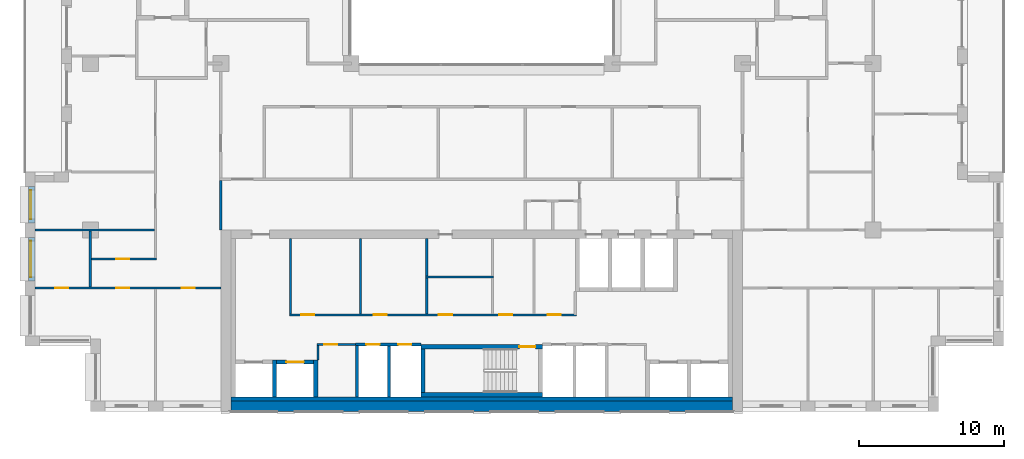
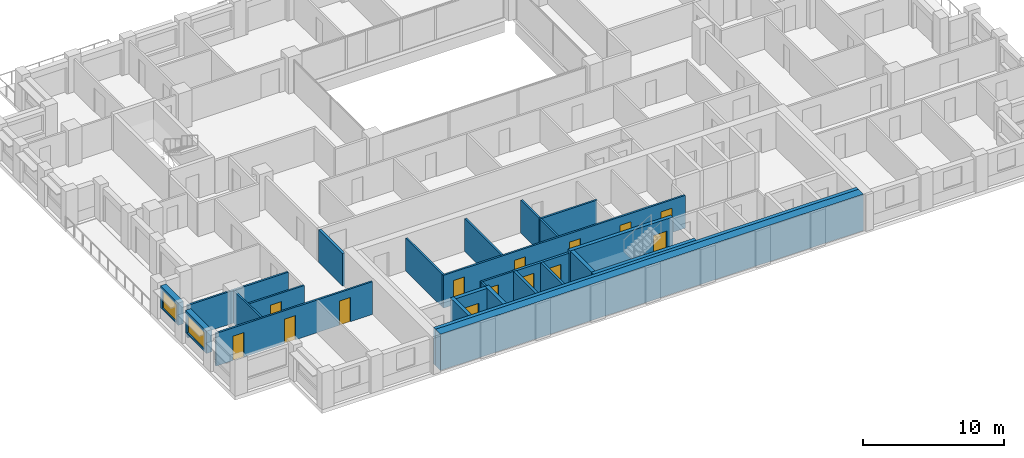
# One storey, part 8 of 15: 26 walls, 14 doors, 2 windows, 16 openings.
"""IFC4 building model written with IfcOpenShell, lengths in metres."""

from ifc_helpers import new_model, si_unit, direction, frame, frame_2d, origin, place, context, subcontext, project, spatial, rectangle, extrude, material, layer, layer_set, type_object, element, fill, save


model = new_model("IFC4")

# Units and contexts
model_context = context("Model", 3, precision=1e-05, world=origin(), true_north=direction((0.0, 1.0)))
body_context = subcontext(model_context, "Body", "Model", "MODEL_VIEW")
ifc_project = project(units=[si_unit("LENGTHUNIT", "METRE"), si_unit("AREAUNIT", "SQUARE_METRE"), si_unit("VOLUMEUNIT", "CUBIC_METRE"), si_unit("PLANEANGLEUNIT", "RADIAN"), si_unit("MASSUNIT", "GRAM", prefix="KILO")], contexts=[model_context])

# Site, building, storey
site_placement = place(None, origin())
site = spatial("IfcSite", under=ifc_project, at=site_placement, CompositionType="ELEMENT")
building_placement = place(site_placement, origin())
building = spatial("IfcBuilding", under=site, at=building_placement, Name="Brigalow Station Residences", CompositionType="ELEMENT")
storey_placement = place(building_placement, frame((0.0, 0.0, 144.449951171875)))
storey = spatial("IfcBuildingStorey", under=building, at=storey_placement, Name="L41", CompositionType="ELEMENT", Elevation=144.449951171875)

# Wall, opening, window
ifc_material_1 = material(Name="Clay brick masonry", Category="masonry")
ifc_layer_1 = layer(ifc_material_1, 0.449951171875)
ifc_layer_set_1 = layer_set([ifc_layer_1], Name="BRICK INFILL WALL 450")
wall_type_1 = type_object("IfcWallType", Name="BRICK INFILL WALL 450", PredefinedType="SOLIDWALL", material=ifc_layer_set_1)
wall_1_placement = place(storey_placement, frame((4.97509765625, 15.5, 0.900146484375), z_axis=(0.0, 0.0, 1.0), x_axis=(0.0, -1.0, 0.0)))
wall_1 = element("IfcWall", 1, at=wall_1_placement, inside=storey, type_object=wall_type_1, Name="L41/ewall/W-L41-45", PredefinedType="SOLIDWALL", context=body_context, shape_type="SweptSolid", body=[
    extrude(rectangle(XDim=2.5, YDim=0.449951171875, at=frame_2d((1.25, 0.0))), origin(), (0.0, 0.0, 1.0), 1.929931640625),
])
opening_1_placement = place(wall_1_placement, frame((0.25, 0.0, 0.14990234375)))
opening_1 = element("IfcOpeningElement", 2, at=opening_1_placement, cuts=wall_1, Name="Opening WT-7", PredefinedType="OPENING", context=body_context, shape_type="SweptSolid", body=[
    extrude(rectangle(XDim=2.0, YDim=1.5, at=frame_2d((1.0, 0.75))), frame((0.0, 0.23486328125, 0.0), z_axis=(0.0, -1.0, 0.0), x_axis=(1.0, 0.0, 0.0)), (0.0, 0.0, 1.0), 0.469970703125),
])
ifc_material_2 = material(Name="Anodised aluminium frame with double glazing", Category="aluminium")
window_type_1 = type_object("IfcWindowType", Name="WINDOW 2000x1500", PartitioningType="SINGLE_PANEL", PredefinedType="WINDOW", material=ifc_material_2)
window_1_placement = place(opening_1_placement, origin())
window_1 = element("IfcWindow", 3, at=window_1_placement, inside=storey, type_object=window_type_1, Name="L41/window/W-L41-45", OverallHeight=1.5, OverallWidth=2.0, PartitioningType="SINGLE_PANEL", PredefinedType="WINDOW", context=body_context, shape_type="SweptSolid", body=[
    extrude(rectangle(XDim=2.0, YDim=1.5, at=frame_2d((1.0, 0.75))), frame((0.0, -0.06494140625, 0.0), z_axis=(0.0, -1.0, 0.0), x_axis=(1.0, 0.0, 0.0)), (0.0, 0.0, 1.0), 0.06005859375),
])
fill(opening_1, window_1)

wall_2_placement = place(storey_placement, frame((4.97509765625, 12.0, 0.900146484375), z_axis=(0.0, 0.0, 1.0), x_axis=(0.0, -1.0, 0.0)))
wall_2 = element("IfcWall", 4, at=wall_2_placement, inside=storey, type_object=wall_type_1, Name="L41/ewall/W-L41-46", PredefinedType="SOLIDWALL", context=body_context, shape_type="SweptSolid", body=[
    extrude(rectangle(XDim=3.0, YDim=0.449951171875, at=frame_2d((1.5, 0.0))), origin(), (0.0, 0.0, 1.0), 1.929931640625),
])
opening_2_placement = place(wall_2_placement, frame((0.25, 0.0, 0.14990234375)))
opening_2 = element("IfcOpeningElement", 5, at=opening_2_placement, cuts=wall_2, Name="Opening WT-5", PredefinedType="OPENING", context=body_context, shape_type="SweptSolid", body=[
    extrude(rectangle(XDim=2.5, YDim=1.5, at=frame_2d((1.25, 0.75))), frame((0.0, 0.23486328125, 0.0), z_axis=(0.0, -1.0, 0.0), x_axis=(1.0, 0.0, 0.0)), (0.0, 0.0, 1.0), 0.469970703125),
])
ifc_material_3 = material(Name="Anodised aluminium frame with double glazing", Category="aluminium")
window_type_2 = type_object("IfcWindowType", Name="WINDOW 2500x1500", PartitioningType="SINGLE_PANEL", PredefinedType="WINDOW", material=ifc_material_3)
window_2_placement = place(opening_2_placement, origin())
window_2 = element("IfcWindow", 6, at=window_2_placement, inside=storey, type_object=window_type_2, Name="L41/window/W-L41-46", OverallHeight=1.5, OverallWidth=2.5, PartitioningType="SINGLE_PANEL", PredefinedType="WINDOW", context=body_context, shape_type="SweptSolid", body=[
    extrude(rectangle(XDim=2.5, YDim=1.5, at=frame_2d((1.25, 0.75))), frame((0.0, -0.06494140625, 0.0), z_axis=(0.0, -1.0, 0.0), x_axis=(1.0, 0.0, 0.0)), (0.0, 0.0, 1.0), 0.06005859375),
])
fill(opening_2, window_2)

# Wall
ifc_material_4 = material(Name="Concrete C65", Category="concrete")
ifc_layer_2 = layer(ifc_material_4, 0.300048828125)
ifc_layer_set_2 = layer_set([ifc_layer_2], Name="CORE SHEAR WALL 300 C65")
wall_type_2 = type_object("IfcWallType", Name="CORE SHEAR WALL 300 C65", PredefinedType="SHEAR", material=ifc_layer_set_2)
wall_3_placement = place(storey_placement, frame((18.699951171875, 0.85009765625, 0.0), z_axis=(0.0, 0.0, 1.0), x_axis=(1.0, 0.0, 0.0)))
element("IfcWall", 7, at=wall_3_placement, inside=storey, type_object=wall_type_2, Name="CORE WALL LIN-S L41", PredefinedType="SHEAR", context=body_context, shape_type="SweptSolid", body=[
    extrude(rectangle(XDim=34.60009765625, YDim=0.300048828125, at=frame_2d((17.300048828125, 0.0))), origin(), (0.0, 0.0, 1.0), 3.150146484375),
])

# Wall, opening, door
wall_4_placement = place(storey_placement, frame((21.85009765625, 3.39990234375, 0.0), z_axis=(0.0, 0.0, 1.0), x_axis=(1.0, 0.0, 0.0)))
wall_4 = element("IfcWall", 8, at=wall_4_placement, inside=storey, type_object=wall_type_2, Name="CORE WALL SH-C2-N L41", PredefinedType="SHEAR", context=body_context, shape_type="SweptSolid", body=[
    extrude(rectangle(XDim=2.5498046875, YDim=0.300048828125, at=frame_2d((1.27490234375, 0.0))), origin(), (0.0, 0.0, 1.0), 3.150146484375),
])
opening_3_placement = place(wall_4_placement, frame((0.675048828125, 0.0, 0.0)))
opening_3 = element("IfcOpeningElement", 9, at=opening_3_placement, cuts=wall_4, Name="Opening LD-LB2", PredefinedType="OPENING", context=body_context, shape_type="SweptSolid", body=[
    extrude(rectangle(XDim=1.199951171875, YDim=2.10009765625, at=frame_2d((0.60009765625, 1.050048828125))), frame((0.0, 0.16015625, 0.0), z_axis=(0.0, -1.0, 0.0), x_axis=(1.0, 0.0, 0.0)), (0.0, 0.0, 1.0), 0.320068359375),
])
ifc_material_5 = material(Name="Stainless steel sliding door leaves", Category="steel")
door_type_1 = type_object("IfcDoorType", Name="LIFT LANDING DOOR 1200 x 2100", OperationType="DOUBLE_DOOR_SLIDING", PredefinedType="DOOR", material=ifc_material_5)
door_1_placement = place(opening_3_placement, origin())
door_1 = element("IfcDoor", 10, at=door_1_placement, inside=storey, type_object=door_type_1, Name="LANDING DOOR LB2", OperationType="DOUBLE_DOOR_SLIDING", OverallHeight=2.10009765625, OverallWidth=1.199951171875, PredefinedType="DOOR", context=body_context, shape_type="SweptSolid", body=[
    extrude(rectangle(XDim=1.199951171875, YDim=2.10009765625, at=frame_2d((0.60009765625, 1.050048828125))), frame((0.0, 0.02490234375, 0.0), z_axis=(0.0, -1.0, 0.0), x_axis=(1.0, 0.0, 0.0)), (0.0, 0.0, 1.0), 0.050048828125),
])
fill(opening_3, door_1)

# Walls
for number, where, z_axis, x_axis, name in (
    (11, (21.699951171875, 1.0, 0.0), (0.0, 0.0, 1.0), (0.0, 1.0, 0.0), "CORE WALL SH-C2-W L41"),
    (12, (24.550048828125, 1.0, 0.0), (0.0, 0.0, 1.0), (0.0, 1.0, 0.0), "CORE WALL SH-C2-E L41"),
):
    element("IfcWall", number, at=place(storey_placement, frame(where, z_axis=z_axis, x_axis=x_axis)), inside=storey, type_object=wall_type_2, Name=name, PredefinedType="SHEAR", context=body_context, shape_type="SweptSolid", body=[
        extrude(rectangle(XDim=2.550048828125, YDim=0.300048828125, at=frame_2d((1.27490234375, 0.0))), origin(), (0.0, 0.0, 1.0), 3.150146484375),
    ])
wall_5_placement = place(storey_placement, frame((31.800048828125, 1.14990234375, 0.0), z_axis=(0.0, 0.0, 1.0), x_axis=(1.0, 0.0, 0.0)))
element("IfcWall", 13, at=wall_5_placement, inside=storey, type_object=wall_type_2, Name="CORE WALL ST-S2-S L41", PredefinedType="SHEAR", context=body_context, shape_type="SweptSolid", body=[
    extrude(rectangle(XDim=8.39990234375, YDim=0.300048828125, at=frame_2d((4.199951171875, 0.0))), origin(), (0.0, 0.0, 1.0), 3.150146484375),
])

# Wall, opening, door
wall_6_placement = place(storey_placement, frame((31.800048828125, 4.449951171875, 0.0), z_axis=(0.0, 0.0, 1.0), x_axis=(1.0, 0.0, 0.0)))
wall_6 = element("IfcWall", 14, at=wall_6_placement, inside=storey, type_object=wall_type_2, Name="CORE WALL ST-S2-N L41", PredefinedType="SHEAR", context=body_context, shape_type="SweptSolid", body=[
    extrude(rectangle(XDim=8.39990234375, YDim=0.300048828125, at=frame_2d((4.199951171875, 0.0))), origin(), (0.0, 0.0, 1.0), 3.150146484375),
])
opening_4_placement = place(wall_6_placement, frame((6.800048828125, 0.0, 0.0)))
opening_4 = element("IfcOpeningElement", 15, at=opening_4_placement, cuts=wall_6, Name="Opening D-5001", PredefinedType="OPENING", context=body_context, shape_type="SweptSolid", body=[
    extrude(rectangle(XDim=1.10009765625, YDim=2.10009765625, at=frame_2d((0.550048828125, 1.050048828125))), frame((0.0, 0.16015625, 0.0), z_axis=(0.0, -1.0, 0.0), x_axis=(1.0, 0.0, 0.0)), (0.0, 0.0, 1.0), 0.320068359375),
])
ifc_material_6 = material(Name="Steel fire door leaf in steel frame", Category="steel")
door_type_2 = type_object("IfcDoorType", Name="STAIR DOOR 1100 x 2100 FD60S", OperationType="SINGLE_SWING_LEFT", PredefinedType="DOOR", material=ifc_material_6)
door_2_placement = place(opening_4_placement, frame((1.10009765625, 0.0, 0.0), z_axis=(0.0, 0.0, 1.0), x_axis=(-1.0, 0.0, 0.0)))
door_2 = element("IfcDoor", 16, at=door_2_placement, inside=storey, type_object=door_type_2, Name="D-5001", OperationType="SINGLE_SWING_LEFT", OverallHeight=2.10009765625, OverallWidth=1.10009765625, PredefinedType="DOOR", context=body_context, shape_type="SweptSolid", body=[
    extrude(rectangle(XDim=1.10009765625, YDim=2.10009765625, at=frame_2d((0.550048828125, 1.050048828125))), frame((0.0, 0.02490234375, 0.0), z_axis=(0.0, -1.0, 0.0), x_axis=(1.0, 0.0, 0.0)), (0.0, 0.0, 1.0), 0.050048828125),
])
fill(opening_4, door_2)

# Walls
wall_7_placement = place(storey_placement, frame((31.949951171875, 1.300048828125, 0.0), z_axis=(0.0, 0.0, 1.0), x_axis=(0.0, 1.0, 0.0)))
element("IfcWall", 17, at=wall_7_placement, inside=storey, type_object=wall_type_2, Name="CORE WALL ST-S2-W L41", PredefinedType="SHEAR", context=body_context, shape_type="SweptSolid", body=[
    extrude(rectangle(XDim=3.0, YDim=0.300048828125, at=frame_2d((1.5, 0.0))), origin(), (0.0, 0.0, 1.0), 3.150146484375),
])
ifc_material_7 = material(Name="Concrete C65", Category="concrete")
ifc_layer_3 = layer(ifc_material_7, 0.699951171875)
ifc_layer_set_3 = layer_set([ifc_layer_3], Name="CORE SHEAR WALL 700 C65")
wall_type_3 = type_object("IfcWallType", Name="CORE SHEAR WALL 700 C65", PredefinedType="SHEAR", material=ifc_layer_set_3)
wall_8_placement = place(storey_placement, frame((18.699951171875, 0.35009765625, 0.0), z_axis=(0.0, 0.0, 1.0), x_axis=(1.0, 0.0, 0.0)))
element("IfcWall", 18, at=wall_8_placement, inside=storey, type_object=wall_type_3, Name="CORE WALL OUT-S L41", PredefinedType="SHEAR", context=body_context, shape_type="SweptSolid", body=[
    extrude(rectangle(XDim=34.60009765625, YDim=0.699951171875, at=frame_2d((17.300048828125, 0.0))), origin(), (0.0, 0.0, 1.0), 3.150146484375),
])

# Wall, openings, doors
ifc_material_8 = material(Name="Concrete blockwork", Category="masonry")
ifc_layer_4 = layer(ifc_material_8, 0.199951171875)
ifc_layer_set_4 = layer_set([ifc_layer_4], Name="FIRE RATED CORE PARTITION 200")
wall_type_4 = type_object("IfcWallType", Name="FIRE RATED CORE PARTITION 200", PredefinedType="PARTITIONING", material=ifc_layer_set_4)
wall_9_placement = place(storey_placement, frame((27.300048828125, 4.60009765625, 0.0), z_axis=(0.0, 0.0, 1.0), x_axis=(1.0, 0.0, 0.0)))
wall_9 = element("IfcWall", 19, at=wall_9_placement, inside=storey, type_object=wall_type_4, Name="PW-5017", PredefinedType="PARTITIONING", context=body_context, shape_type="SweptSolid", body=[
    extrude(rectangle(XDim=4.5, YDim=0.199951171875, at=frame_2d((2.25, 0.0))), origin(), (0.0, 0.0, 1.0), 2.830078125),
])
opening_5_placement = place(wall_9_placement, frame((0.75, 0.0, 0.0)))
opening_5 = element("IfcOpeningElement", 20, at=opening_5_placement, cuts=wall_9, Name="Opening D-5007", PredefinedType="OPENING", context=body_context, shape_type="SweptSolid", body=[
    extrude(rectangle(XDim=0.89990234375, YDim=2.10009765625, at=frame_2d((0.449951171875, 1.050048828125))), frame((0.0, 0.10986328125, 0.0), z_axis=(0.0, -1.0, 0.0), x_axis=(1.0, 0.0, 0.0)), (0.0, 0.0, 1.0), 0.219970703125),
])
opening_6_placement = place(wall_9_placement, frame((2.949951171875, 0.0, 0.0)))
opening_6 = element("IfcOpeningElement", 21, at=opening_6_placement, cuts=wall_9, Name="Opening D-5008", PredefinedType="OPENING", context=body_context, shape_type="SweptSolid", body=[
    extrude(rectangle(XDim=0.89990234375, YDim=2.10009765625, at=frame_2d((0.449951171875, 1.050048828125))), frame((0.0, 0.10986328125, 0.0), z_axis=(0.0, -1.0, 0.0), x_axis=(1.0, 0.0, 0.0)), (0.0, 0.0, 1.0), 0.219970703125),
])
ifc_material_9 = material(Name="Steel fire door leaf in steel frame", Category="steel")
door_type_3 = type_object("IfcDoorType", Name="RISER ACCESS DOOR 900 x 2100 FD120", OperationType="SINGLE_SWING_LEFT", PredefinedType="DOOR", material=ifc_material_9)
door_3_placement = place(opening_5_placement, frame((0.89990234375, 0.0, 0.0), z_axis=(0.0, 0.0, 1.0), x_axis=(-1.0, 0.0, 0.0)))
door_3 = element("IfcDoor", 22, at=door_3_placement, inside=storey, type_object=door_type_3, Name="D-5007", OperationType="SINGLE_SWING_RIGHT", OverallHeight=2.10009765625, OverallWidth=0.89990234375, PredefinedType="DOOR", context=body_context, shape_type="SweptSolid", body=[
    extrude(rectangle(XDim=0.89990234375, YDim=2.10009765625, at=frame_2d((0.449951171875, 1.050048828125))), frame((0.0, 0.02490234375, 0.0), z_axis=(0.0, -1.0, 0.0), x_axis=(1.0, 0.0, 0.0)), (0.0, 0.0, 1.0), 0.050048828125),
])
fill(opening_5, door_3)
door_4_placement = place(opening_6_placement, frame((0.89990234375, 0.0, 0.0), z_axis=(0.0, 0.0, 1.0), x_axis=(-1.0, 0.0, 0.0)))
door_4 = element("IfcDoor", 23, at=door_4_placement, inside=storey, type_object=door_type_3, Name="D-5008", OperationType="SINGLE_SWING_RIGHT", OverallHeight=2.10009765625, OverallWidth=0.89990234375, PredefinedType="DOOR", context=body_context, shape_type="SweptSolid", body=[
    extrude(rectangle(XDim=0.89990234375, YDim=2.10009765625, at=frame_2d((0.449951171875, 1.050048828125))), frame((0.0, 0.02490234375, 0.0), z_axis=(0.0, -1.0, 0.0), x_axis=(1.0, 0.0, 0.0)), (0.0, 0.0, 1.0), 0.050048828125),
])
fill(opening_6, door_4)

# Walls
wall_10_placement = place(storey_placement, frame((27.39990234375, 1.0, 0.0), z_axis=(0.0, 0.0, 1.0), x_axis=(0.0, 1.0, 0.0)))
element("IfcWall", 24, at=wall_10_placement, inside=storey, type_object=wall_type_4, Name="PW-5027", PredefinedType="PARTITIONING", context=body_context, shape_type="SweptSolid", body=[
    extrude(rectangle(XDim=3.52490234375, YDim=0.199951171875, at=frame_2d((1.762451171875, 0.0))), origin(), (0.0, 0.0, 1.0), 2.830078125),
])
wall_11_placement = place(storey_placement, frame((29.60009765625, 1.0, 0.0), z_axis=(0.0, 0.0, 1.0), x_axis=(0.0, 1.0, 0.0)))
element("IfcWall", 25, at=wall_11_placement, inside=storey, type_object=wall_type_4, Name="PW-5006", PredefinedType="PARTITIONING", context=body_context, shape_type="SweptSolid", body=[
    extrude(rectangle(XDim=3.5, YDim=0.199951171875, at=frame_2d((1.75, 0.0))), origin(), (0.0, 0.0, 1.0), 2.830078125),
])
wall_12_placement = place(storey_placement, frame((18.0, 12.5, 0.0), z_axis=(0.0, 0.0, 1.0), x_axis=(0.0, 1.0, 0.0)))
element("IfcWall", 26, at=wall_12_placement, inside=storey, type_object=wall_type_4, Name="PW-5013", PredefinedType="PARTITIONING", context=body_context, shape_type="SweptSolid", body=[
    extrude(rectangle(XDim=3.39990234375, YDim=0.199951171875, at=frame_2d((1.699951171875, 0.0))), origin(), (0.0, 0.0, 1.0), 2.830078125),
])

# Wall, openings, doors
ifc_material_10 = material(Name="Plasterboard on steel stud partition", Category="steel")
ifc_layer_5 = layer(ifc_material_10, 0.14990234375)
ifc_layer_set_5 = layer_set([ifc_layer_5], Name="FLAT PARTITION 150")
wall_type_5 = type_object("IfcWallType", Name="FLAT PARTITION 150", PredefinedType="PARTITIONING", material=ifc_layer_set_5)
wall_13_placement = place(storey_placement, frame((5.199951171875, 8.5, 0.0), z_axis=(0.0, 0.0, 1.0), x_axis=(1.0, 0.0, 0.0)))
wall_13 = element("IfcWall", 27, at=wall_13_placement, inside=storey, type_object=wall_type_5, Name="PW-3A09", PredefinedType="PARTITIONING", context=body_context, shape_type="SweptSolid", body=[
    extrude(rectangle(XDim=12.800048828125, YDim=0.14990234375, at=frame_2d((6.39990234375, 0.0))), origin(), (0.0, 0.0, 1.0), 2.830078125),
])
opening_7_placement = place(wall_13_placement, frame((10.10009765625, 0.0, 0.0)))
opening_7 = element("IfcOpeningElement", 28, at=opening_7_placement, cuts=wall_13, Name="Opening D-3A03", PredefinedType="OPENING", context=body_context, shape_type="SweptSolid", body=[
    extrude(rectangle(XDim=0.89990234375, YDim=2.10009765625, at=frame_2d((0.449951171875, 1.050048828125))), frame((0.0, 0.0849609375, 0.0), z_axis=(0.0, -1.0, 0.0), x_axis=(1.0, 0.0, 0.0)), (0.0, 0.0, 1.0), 0.169921875),
])
opening_8_placement = place(wall_13_placement, frame((5.60009765625, 0.0, 0.0)))
opening_8 = element("IfcOpeningElement", 29, at=opening_8_placement, cuts=wall_13, Name="Opening D-3A04", PredefinedType="OPENING", context=body_context, shape_type="SweptSolid", body=[
    extrude(rectangle(XDim=0.89990234375, YDim=2.10009765625, at=frame_2d((0.449951171875, 1.050048828125))), frame((0.0, 0.0849609375, 0.0), z_axis=(0.0, -1.0, 0.0), x_axis=(1.0, 0.0, 0.0)), (0.0, 0.0, 1.0), 0.169921875),
])
opening_9_placement = place(wall_13_placement, frame((1.375, 0.0, 0.0)))
opening_9 = element("IfcOpeningElement", 30, at=opening_9_placement, cuts=wall_13, Name="Opening D-3A05", PredefinedType="OPENING", context=body_context, shape_type="SweptSolid", body=[
    extrude(rectangle(XDim=0.89990234375, YDim=2.10009765625, at=frame_2d((0.449951171875, 1.050048828125))), frame((0.0, 0.0849609375, 0.0), z_axis=(0.0, -1.0, 0.0), x_axis=(1.0, 0.0, 0.0)), (0.0, 0.0, 1.0), 0.169921875),
])
ifc_material_11 = material(Name="Solid-core timber door leaf", Category="wood")
door_type_4 = type_object("IfcDoorType", Name="INTERNAL DOOR 900 x 2100", OperationType="SINGLE_SWING_LEFT", PredefinedType="DOOR", material=ifc_material_11)
door_5_placement = place(opening_7_placement, frame((0.89990234375, 0.0, 0.0), z_axis=(0.0, 0.0, 1.0), x_axis=(-1.0, 0.0, 0.0)))
door_5 = element("IfcDoor", 31, at=door_5_placement, inside=storey, type_object=door_type_4, Name="D-3A03", OperationType="SINGLE_SWING_RIGHT", OverallHeight=2.10009765625, OverallWidth=0.89990234375, PredefinedType="DOOR", context=body_context, shape_type="SweptSolid", body=[
    extrude(rectangle(XDim=0.89990234375, YDim=2.10009765625, at=frame_2d((0.449951171875, 1.050048828125))), frame((0.0, 0.02490234375, 0.0), z_axis=(0.0, -1.0, 0.0), x_axis=(1.0, 0.0, 0.0)), (0.0, 0.0, 1.0), 0.050048828125),
])
fill(opening_7, door_5)
door_6_placement = place(opening_8_placement, frame((0.89990234375, 0.0, 0.0), z_axis=(0.0, 0.0, 1.0), x_axis=(-1.0, 0.0, 0.0)))
door_6 = element("IfcDoor", 32, at=door_6_placement, inside=storey, type_object=door_type_4, Name="D-3A04", OperationType="SINGLE_SWING_LEFT", OverallHeight=2.10009765625, OverallWidth=0.89990234375, PredefinedType="DOOR", context=body_context, shape_type="SweptSolid", body=[
    extrude(rectangle(XDim=0.89990234375, YDim=2.10009765625, at=frame_2d((0.449951171875, 1.050048828125))), frame((0.0, 0.02490234375, 0.0), z_axis=(0.0, -1.0, 0.0), x_axis=(1.0, 0.0, 0.0)), (0.0, 0.0, 1.0), 0.050048828125),
])
fill(opening_8, door_6)
door_7_placement = place(opening_9_placement, origin())
door_7 = element("IfcDoor", 33, at=door_7_placement, inside=storey, type_object=door_type_4, Name="D-3A05", OperationType="SINGLE_SWING_LEFT", OverallHeight=2.10009765625, OverallWidth=0.89990234375, PredefinedType="DOOR", context=body_context, shape_type="SweptSolid", body=[
    extrude(rectangle(XDim=0.89990234375, YDim=2.10009765625, at=frame_2d((0.449951171875, 1.050048828125))), frame((0.0, 0.02490234375, 0.0), z_axis=(0.0, -1.0, 0.0), x_axis=(1.0, 0.0, 0.0)), (0.0, 0.0, 1.0), 0.050048828125),
])
fill(opening_9, door_7)

# Wall
wall_14_placement = place(storey_placement, frame((5.199951171875, 12.5, 0.0), z_axis=(0.0, 0.0, 1.0), x_axis=(1.0, 0.0, 0.0)))
element("IfcWall", 34, at=wall_14_placement, inside=storey, type_object=wall_type_5, Name="PW-3A11", PredefinedType="PARTITIONING", context=body_context, shape_type="SweptSolid", body=[
    extrude(rectangle(XDim=8.22509765625, YDim=0.14990234375, at=frame_2d((4.112548828125, 0.0))), origin(), (0.0, 0.0, 1.0), 2.830078125),
])

# Wall, opening, door
wall_15_placement = place(storey_placement, frame((9.074951171875, 10.5, 0.0), z_axis=(0.0, 0.0, 1.0), x_axis=(1.0, 0.0, 0.0)))
wall_15 = element("IfcWall", 35, at=wall_15_placement, inside=storey, type_object=wall_type_5, Name="PW-3A13", PredefinedType="PARTITIONING", context=body_context, shape_type="SweptSolid", body=[
    extrude(rectangle(XDim=4.5, YDim=0.14990234375, at=frame_2d((2.25, 0.0))), origin(), (0.0, 0.0, 1.0), 2.830078125),
])
opening_10_placement = place(wall_15_placement, frame((1.72509765625, 0.0, 0.0)))
opening_10 = element("IfcOpeningElement", 36, at=opening_10_placement, cuts=wall_15, Name="Opening D-3A06", PredefinedType="OPENING", context=body_context, shape_type="SweptSolid", body=[
    extrude(rectangle(XDim=0.89990234375, YDim=2.10009765625, at=frame_2d((0.449951171875, 1.050048828125))), frame((0.0, 0.0849609375, 0.0), z_axis=(0.0, -1.0, 0.0), x_axis=(1.0, 0.0, 0.0)), (0.0, 0.0, 1.0), 0.169921875),
])
door_8_placement = place(opening_10_placement, origin())
door_8 = element("IfcDoor", 37, at=door_8_placement, inside=storey, type_object=door_type_4, Name="D-3A06", OperationType="SINGLE_SWING_RIGHT", OverallHeight=2.10009765625, OverallWidth=0.89990234375, PredefinedType="DOOR", context=body_context, shape_type="SweptSolid", body=[
    extrude(rectangle(XDim=0.89990234375, YDim=2.10009765625, at=frame_2d((0.449951171875, 1.050048828125))), frame((0.0, 0.02490234375, 0.0), z_axis=(0.0, -1.0, 0.0), x_axis=(1.0, 0.0, 0.0)), (0.0, 0.0, 1.0), 0.050048828125),
])
fill(opening_10, door_8)

# Wall
wall_16_placement = place(storey_placement, frame((9.0, 8.574951171875, 0.0), z_axis=(0.0, 0.0, 1.0), x_axis=(0.0, 1.0, 0.0)))
element("IfcWall", 38, at=wall_16_placement, inside=storey, type_object=wall_type_5, Name="PW-3A41", PredefinedType="PARTITIONING", context=body_context, shape_type="SweptSolid", body=[
    extrude(rectangle(XDim=3.85009765625, YDim=0.14990234375, at=frame_2d((1.925048828125, 0.0))), origin(), (0.0, 0.0, 1.0), 2.830078125),
])

# Wall, opening, door
ifc_material_12 = material(Name="Plasterboard on steel studs", Category="steel")
ifc_layer_6 = layer(ifc_material_12, 0.14990234375)
ifc_layer_set_6 = layer_set([ifc_layer_6], Name="SERVICE ROOM PARTITION 150")
wall_type_6 = type_object("IfcWallType", Name="SERVICE ROOM PARTITION 150", PredefinedType="PARTITIONING", material=ifc_layer_set_6)
wall_17_placement = place(storey_placement, frame((24.625, 4.60009765625, 0.0), z_axis=(0.0, 0.0, 1.0), x_axis=(1.0, 0.0, 0.0)))
wall_17 = element("IfcWall", 39, at=wall_17_placement, inside=storey, type_object=wall_type_6, Name="PW-5155", PredefinedType="PARTITIONING", context=body_context, shape_type="SweptSolid", body=[
    extrude(rectangle(XDim=2.675048828125, YDim=0.14990234375, at=frame_2d((1.33740234375, 0.0))), origin(), (0.0, 0.0, 1.0), 2.830078125),
])
opening_11_placement = place(wall_17_placement, frame((0.52490234375, 0.0, 0.0)))
opening_11 = element("IfcOpeningElement", 40, at=opening_11_placement, cuts=wall_17, Name="Opening D-5087", PredefinedType="OPENING", context=body_context, shape_type="SweptSolid", body=[
    extrude(rectangle(XDim=0.89990234375, YDim=2.10009765625, at=frame_2d((0.449951171875, 1.050048828125))), frame((0.0, 0.0849609375, 0.0), z_axis=(0.0, -1.0, 0.0), x_axis=(1.0, 0.0, 0.0)), (0.0, 0.0, 1.0), 0.169921875),
])
ifc_material_13 = material(Name="Steel door leaf in steel frame", Category="steel")
door_type_5 = type_object("IfcDoorType", Name="SERVICE ROOM DOOR 900 x 2100 FD60", OperationType="SINGLE_SWING_LEFT", PredefinedType="DOOR", material=ifc_material_13)
door_9_placement = place(opening_11_placement, frame((0.89990234375, 0.0, 0.0), z_axis=(0.0, 0.0, 1.0), x_axis=(-1.0, 0.0, 0.0)))
door_9 = element("IfcDoor", 41, at=door_9_placement, inside=storey, type_object=door_type_5, Name="D-5087", OperationType="SINGLE_SWING_RIGHT", OverallHeight=2.10009765625, OverallWidth=0.89990234375, PredefinedType="DOOR", context=body_context, shape_type="SweptSolid", body=[
    extrude(rectangle(XDim=0.89990234375, YDim=2.10009765625, at=frame_2d((0.449951171875, 1.050048828125))), frame((0.0, 0.02490234375, 0.0), z_axis=(0.0, -1.0, 0.0), x_axis=(1.0, 0.0, 0.0)), (0.0, 0.0, 1.0), 0.050048828125),
])
fill(opening_11, door_9)

# Wall, openings, doors
wall_18_placement = place(storey_placement, frame((22.72509765625, 6.64990234375, 0.0), z_axis=(0.0, 0.0, 1.0), x_axis=(1.0, 0.0, 0.0)))
wall_18 = element("IfcWall", 42, at=wall_18_placement, inside=storey, type_object=wall_type_6, Name="PW-5195", PredefinedType="PARTITIONING", context=body_context, shape_type="SweptSolid", body=[
    extrude(rectangle(XDim=19.7998046875, YDim=0.14990234375, at=frame_2d((9.89990234375, 0.0))), origin(), (0.0, 0.0, 1.0), 2.830078125),
])
opening_12_placement = place(wall_18_placement, frame((0.824951171875, 0.0, 0.0)))
opening_12 = element("IfcOpeningElement", 43, at=opening_12_placement, cuts=wall_18, Name="Opening D-5110", PredefinedType="OPENING", context=body_context, shape_type="SweptSolid", body=[
    extrude(rectangle(XDim=0.89990234375, YDim=2.10009765625, at=frame_2d((0.449951171875, 1.050048828125))), frame((0.0, 0.0849609375, 0.0), z_axis=(0.0, -1.0, 0.0), x_axis=(1.0, 0.0, 0.0)), (0.0, 0.0, 1.0), 0.169921875),
])
opening_13_placement = place(wall_18_placement, frame((5.824951171875, 0.0, 0.0)))
opening_13 = element("IfcOpeningElement", 44, at=opening_13_placement, cuts=wall_18, Name="Opening D-5111", PredefinedType="OPENING", context=body_context, shape_type="SweptSolid", body=[
    extrude(rectangle(XDim=0.89990234375, YDim=2.10009765625, at=frame_2d((0.449951171875, 1.050048828125))), frame((0.0, 0.0849609375, 0.0), z_axis=(0.0, -1.0, 0.0), x_axis=(1.0, 0.0, 0.0)), (0.0, 0.0, 1.0), 0.169921875),
])
opening_14_placement = place(wall_18_placement, frame((10.324951171875, 0.0, 0.0)))
opening_14 = element("IfcOpeningElement", 45, at=opening_14_placement, cuts=wall_18, Name="Opening D-5112", PredefinedType="OPENING", context=body_context, shape_type="SweptSolid", body=[
    extrude(rectangle(XDim=0.89990234375, YDim=2.10009765625, at=frame_2d((0.449951171875, 1.050048828125))), frame((0.0, 0.0849609375, 0.0), z_axis=(0.0, -1.0, 0.0), x_axis=(1.0, 0.0, 0.0)), (0.0, 0.0, 1.0), 0.169921875),
])
opening_15_placement = place(wall_18_placement, frame((14.47509765625, 0.0, 0.0)))
opening_15 = element("IfcOpeningElement", 46, at=opening_15_placement, cuts=wall_18, Name="Opening D-5114", PredefinedType="OPENING", context=body_context, shape_type="SweptSolid", body=[
    extrude(rectangle(XDim=0.89990234375, YDim=2.10009765625, at=frame_2d((0.449951171875, 1.050048828125))), frame((0.0, 0.0849609375, 0.0), z_axis=(0.0, -1.0, 0.0), x_axis=(1.0, 0.0, 0.0)), (0.0, 0.0, 1.0), 0.169921875),
])
opening_16_placement = place(wall_18_placement, frame((17.824951171875, 0.0, 0.0)))
opening_16 = element("IfcOpeningElement", 47, at=opening_16_placement, cuts=wall_18, Name="Opening D-5115", PredefinedType="OPENING", context=body_context, shape_type="SweptSolid", body=[
    extrude(rectangle(XDim=0.89990234375, YDim=2.10009765625, at=frame_2d((0.449951171875, 1.050048828125))), frame((0.0, 0.0849609375, 0.0), z_axis=(0.0, -1.0, 0.0), x_axis=(1.0, 0.0, 0.0)), (0.0, 0.0, 1.0), 0.169921875),
])
door_10_placement = place(opening_12_placement, origin())
door_10 = element("IfcDoor", 48, at=door_10_placement, inside=storey, type_object=door_type_5, Name="D-5110", OperationType="SINGLE_SWING_LEFT", OverallHeight=2.10009765625, OverallWidth=0.89990234375, PredefinedType="DOOR", context=body_context, shape_type="SweptSolid", body=[
    extrude(rectangle(XDim=0.89990234375, YDim=2.10009765625, at=frame_2d((0.449951171875, 1.050048828125))), frame((0.0, 0.02490234375, 0.0), z_axis=(0.0, -1.0, 0.0), x_axis=(1.0, 0.0, 0.0)), (0.0, 0.0, 1.0), 0.050048828125),
])
fill(opening_12, door_10)
door_11_placement = place(opening_13_placement, origin())
door_11 = element("IfcDoor", 49, at=door_11_placement, inside=storey, type_object=door_type_5, Name="D-5111", OperationType="SINGLE_SWING_LEFT", OverallHeight=2.10009765625, OverallWidth=0.89990234375, PredefinedType="DOOR", context=body_context, shape_type="SweptSolid", body=[
    extrude(rectangle(XDim=0.89990234375, YDim=2.10009765625, at=frame_2d((0.449951171875, 1.050048828125))), frame((0.0, 0.02490234375, 0.0), z_axis=(0.0, -1.0, 0.0), x_axis=(1.0, 0.0, 0.0)), (0.0, 0.0, 1.0), 0.050048828125),
])
fill(opening_13, door_11)
door_12_placement = place(opening_14_placement, origin())
door_12 = element("IfcDoor", 50, at=door_12_placement, inside=storey, type_object=door_type_5, Name="D-5112", OperationType="SINGLE_SWING_LEFT", OverallHeight=2.10009765625, OverallWidth=0.89990234375, PredefinedType="DOOR", context=body_context, shape_type="SweptSolid", body=[
    extrude(rectangle(XDim=0.89990234375, YDim=2.10009765625, at=frame_2d((0.449951171875, 1.050048828125))), frame((0.0, 0.02490234375, 0.0), z_axis=(0.0, -1.0, 0.0), x_axis=(1.0, 0.0, 0.0)), (0.0, 0.0, 1.0), 0.050048828125),
])
fill(opening_14, door_12)
door_13_placement = place(opening_15_placement, origin())
door_13 = element("IfcDoor", 51, at=door_13_placement, inside=storey, type_object=door_type_5, Name="D-5114", OperationType="SINGLE_SWING_LEFT", OverallHeight=2.10009765625, OverallWidth=0.89990234375, PredefinedType="DOOR", context=body_context, shape_type="SweptSolid", body=[
    extrude(rectangle(XDim=0.89990234375, YDim=2.10009765625, at=frame_2d((0.449951171875, 1.050048828125))), frame((0.0, 0.02490234375, 0.0), z_axis=(0.0, -1.0, 0.0), x_axis=(1.0, 0.0, 0.0)), (0.0, 0.0, 1.0), 0.050048828125),
])
fill(opening_15, door_13)
door_14_placement = place(opening_16_placement, origin())
door_14 = element("IfcDoor", 52, at=door_14_placement, inside=storey, type_object=door_type_5, Name="D-5115", OperationType="SINGLE_SWING_LEFT", OverallHeight=2.10009765625, OverallWidth=0.89990234375, PredefinedType="DOOR", context=body_context, shape_type="SweptSolid", body=[
    extrude(rectangle(XDim=0.89990234375, YDim=2.10009765625, at=frame_2d((0.449951171875, 1.050048828125))), frame((0.0, 0.02490234375, 0.0), z_axis=(0.0, -1.0, 0.0), x_axis=(1.0, 0.0, 0.0)), (0.0, 0.0, 1.0), 0.050048828125),
])
fill(opening_16, door_14)

# Walls
wall_19_placement = place(storey_placement, frame((32.135009765625, 9.27001953125, 0.0), z_axis=(0.0, 0.0, 1.0), x_axis=(1.0, 0.0, 0.0)))
element("IfcWall", 53, at=wall_19_placement, inside=storey, type_object=wall_type_6, Name="PW-5196", PredefinedType="PARTITIONING", context=body_context, shape_type="SweptSolid", body=[
    extrude(rectangle(XDim=4.68994140625, YDim=0.14990234375, at=frame_2d((2.344970703125, 0.0))), origin(), (0.0, 0.0, 1.0), 2.830078125),
])
wall_20_placement = place(storey_placement, frame((24.699951171875, 3.550048828125, 0.0), z_axis=(0.0, 0.0, 1.0), x_axis=(0.0, 1.0, 0.0)))
element("IfcWall", 54, at=wall_20_placement, inside=storey, type_object=wall_type_6, Name="PW-5157", PredefinedType="PARTITIONING", context=body_context, shape_type="SweptSolid", body=[
    extrude(rectangle(XDim=0.974853515625, YDim=0.14990234375, at=frame_2d((0.4873046875, 0.0))), origin(), (0.0, 0.0, 1.0), 2.830078125),
])
for number, where, z_axis, x_axis, name in (
    (55, (22.800048828125, 6.72509765625, 0.0), (0.0, 0.0, 1.0), (0.0, 1.0, 0.0), "PW-5197"),
    (56, (27.6298828125, 6.72509765625, 0.0), (0.0, 0.0, 1.0), (0.0, 1.0, 0.0), "PW-5198"),
):
    element("IfcWall", number, at=place(storey_placement, frame(where, z_axis=z_axis, x_axis=x_axis)), inside=storey, type_object=wall_type_6, Name=name, PredefinedType="PARTITIONING", context=body_context, shape_type="SweptSolid", body=[
        extrude(rectangle(XDim=5.1748046875, YDim=0.14990234375, at=frame_2d((2.58740234375, 0.0))), origin(), (0.0, 0.0, 1.0), 2.830078125),
    ])
wall_21_placement = place(storey_placement, frame((32.2099609375, 6.72509765625, 0.0), z_axis=(0.0, 0.0, 1.0), x_axis=(0.0, 1.0, 0.0)))
element("IfcWall", 57, at=wall_21_placement, inside=storey, type_object=wall_type_6, Name="PW-5199", PredefinedType="PARTITIONING", context=body_context, shape_type="SweptSolid", body=[
    extrude(rectangle(XDim=2.469970703125, YDim=0.14990234375, at=frame_2d((1.23486328125, 0.0))), origin(), (0.0, 0.0, 1.0), 2.830078125),
])
wall_22_placement = place(storey_placement, frame((32.2099609375, 9.344970703125, 0.0), z_axis=(0.0, 0.0, 1.0), x_axis=(0.0, 1.0, 0.0)))
element("IfcWall", 58, at=wall_22_placement, inside=storey, type_object=wall_type_6, Name="PW-5202", PredefinedType="PARTITIONING", context=body_context, shape_type="SweptSolid", body=[
    extrude(rectangle(XDim=2.554931640625, YDim=0.14990234375, at=frame_2d((1.27734375, 0.0))), origin(), (0.0, 0.0, 1.0), 2.830078125),
])

save(model, "model.ifc")
